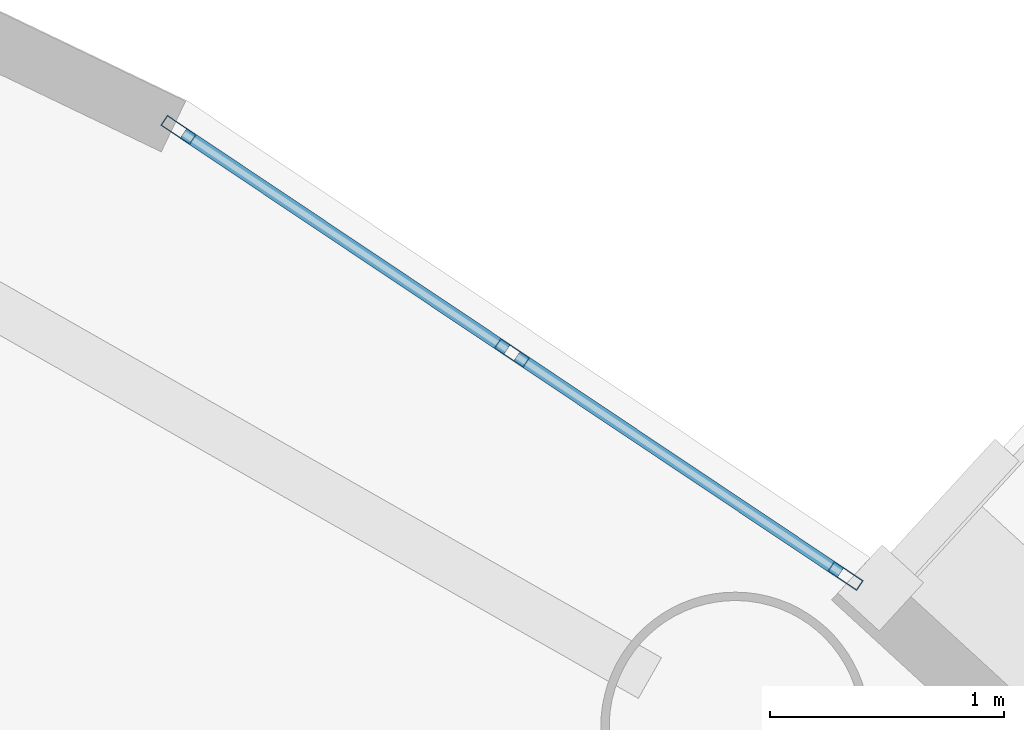
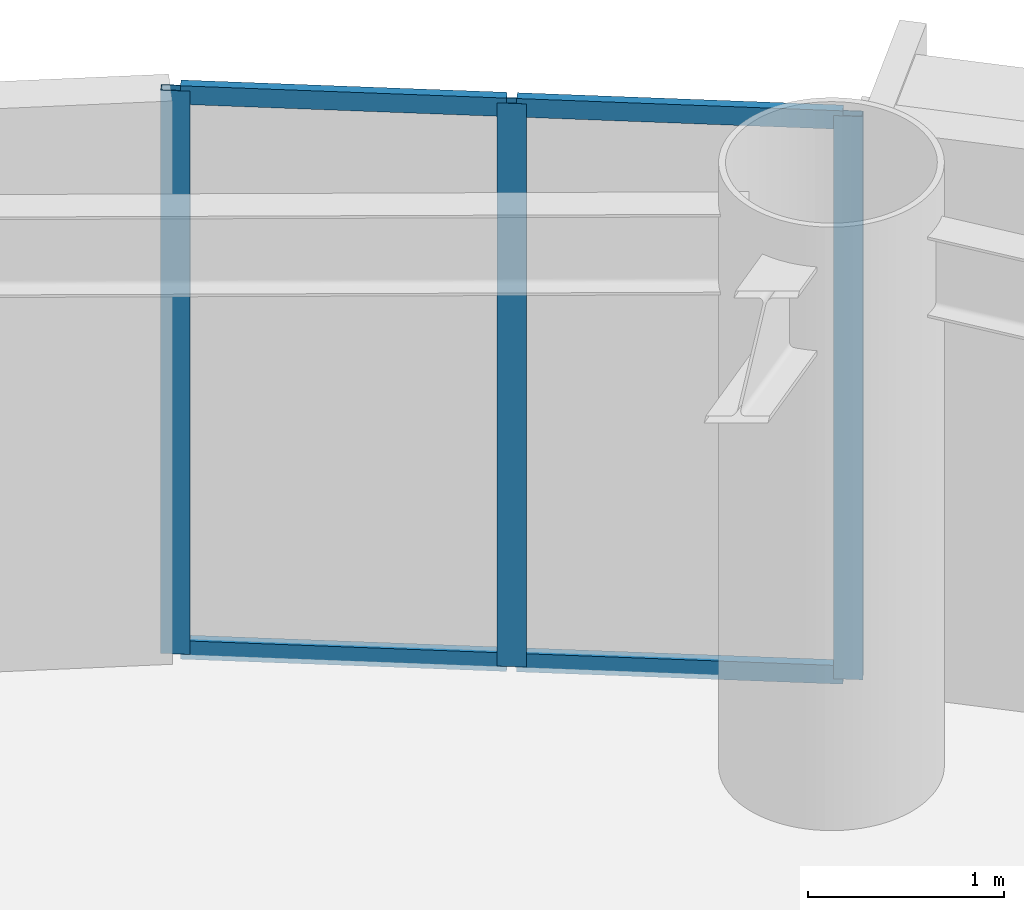
# One storey, part 4 of 19: 7 members, 1 element without a shape of its own.
"""IFC4 building model written with IfcOpenShell, lengths in metres."""

from ifc_helpers import new_model, si_unit, direction, frame, origin, origin_2d, place, context, subcontext, project, spatial, hollow_rectangle, extrude, source, transform, mapped, material, layer, layer_set, material_profile, profile_set, type_object, element, aggregate, save


model = new_model("IFC4")

# Units and contexts
model_context = context("Model", 3, precision=1e-05, world=origin(), true_north=direction((0.0, 1.0)))
body_context = subcontext(model_context, "Body", "Model", "MODEL_VIEW")
ifc_project = project(units=[si_unit("LENGTHUNIT", "METRE"), si_unit("AREAUNIT", "SQUARE_METRE"), si_unit("VOLUMEUNIT", "CUBIC_METRE"), si_unit("PLANEANGLEUNIT", "RADIAN"), si_unit("MASSUNIT", "GRAM", prefix="KILO")], contexts=[model_context])

# Site, building, storey
site_placement = place(None, origin())
site = spatial("IfcSite", under=ifc_project, at=site_placement, CompositionType="ELEMENT")
building_placement = place(site_placement, origin())
building = spatial("IfcBuilding", under=site, at=building_placement, Name="Linh Dai School and Residence Tower", CompositionType="ELEMENT")
storey_placement = place(building_placement, frame((0.0, 0.0, 247.800048828125)))
storey = spatial("IfcBuildingStorey", under=building, at=storey_placement, Name="L61", CompositionType="ELEMENT", Elevation=247.800048828125)

# Curtain wall, members
ifc_material_1 = material(Name="Aluminium Anodised Curtain Wall", Category="aluminium")
ifc_layer = layer(ifc_material_1, 0.14990234375)
ifc_layer_set = layer_set([ifc_layer], Name="Aluminium Anodised Curtain Wall")
curtain_wall_type = type_object("IfcCurtainWallType", Name="CW-SYS-4", PredefinedType="USERDEFINED", material=ifc_layer_set)
curtain_wall_placement = place(storey_placement, origin())
curtain_wall = element("IfcCurtainWall", 1, at=curtain_wall_placement, inside=storey, type_object=curtain_wall_type, Name="L61 CW4 Curtain Wall 06", ObjectType="RIBBON CURTAIN WALL", PredefinedType="USERDEFINED")
ifc_material_2 = material(Name="Aluminium Alloy 6063-T6", Category="aluminium")
ifc_material_profile_1 = material_profile(ifc_material_2, hollow_rectangle(XDim=0.052001953125, YDim=0.14990234375, WallThickness=0.00390625, at=origin_2d()), Name="RHS 150x52x4")
ifc_profile_set_1 = profile_set([ifc_material_profile_1], Name="Aluminium Alloy 6063-T6")
member_type_1 = type_object("IfcMemberType", Name="CW-SYS-4-MUL", PredefinedType="MULLION", material=ifc_profile_set_1)
shared_shape_1 = source(origin(), body_context, "Body", "SweptSolid", [
    extrude(hollow_rectangle(XDim=0.052001953125, YDim=0.14990234375, WallThickness=0.00390625, at=origin_2d()), origin(), (0.0, 0.0, 1.0), 3.5),
])
member_1_placement = place(storey_placement, frame((50.3017578125, 42.333251953125, 0.0), z_axis=(0.0, 0.0, 1.0), x_axis=(0.555887222025, 0.831257719597, 0.0)))
member_1 = element("IfcMember", 2, at=member_1_placement, type_object=member_type_1, Name="CW4 mullion 1", PredefinedType="MULLION", context=body_context, shape_type="MappedRepresentation", body=[
    mapped(shared_shape_1, transform((0.0, 0.0, 0.0), x_axis=(1.0, 0.0, 0.0), y_axis=(0.0, 1.0, 0.0), z_axis=(0.0, 0.0, 1.0), scale=1.0)),
])
member_2_placement = place(storey_placement, frame((51.728271484375, 41.379150390625, 0.0), z_axis=(0.0, 0.0, 1.0), x_axis=(0.555887222025, 0.831257719597, 0.0)))
member_2 = element("IfcMember", 3, at=member_2_placement, type_object=member_type_1, Name="CW4 mullion 2", PredefinedType="MULLION", context=body_context, shape_type="MappedRepresentation", body=[
    mapped(shared_shape_1, transform((0.0, 0.0, 0.0), x_axis=(1.0, 0.0, 0.0), y_axis=(0.0, 1.0, 0.0), z_axis=(0.0, 0.0, 1.0), scale=1.0)),
])
member_3_placement = place(storey_placement, frame((53.15478515625, 40.42529296875, 0.0), z_axis=(0.0, 0.0, 1.0), x_axis=(0.555887222025, 0.831257719597, 0.0)))
member_3 = element("IfcMember", 4, at=member_3_placement, type_object=member_type_1, Name="CW4 mullion 3", PredefinedType="MULLION", context=body_context, shape_type="MappedRepresentation", body=[
    mapped(shared_shape_1, transform((0.0, 0.0, 0.0), x_axis=(1.0, 0.0, 0.0), y_axis=(0.0, 1.0, 0.0), z_axis=(0.0, 0.0, 1.0), scale=1.0)),
])
ifc_material_profile_2 = material_profile(ifc_material_2, hollow_rectangle(XDim=0.052001953125, YDim=0.114990234375, WallThickness=0.00390625, at=origin_2d()), Name="RHS 115x52x4")
ifc_profile_set_2 = profile_set([ifc_material_profile_2], Name="Aluminium Alloy 6063-T6")
member_type_2 = type_object("IfcMemberType", Name="CW-SYS-4-TRN", PredefinedType="USERDEFINED", material=ifc_profile_set_2)
shared_shape_2 = source(origin(), body_context, "Body", "SweptSolid", [
    extrude(hollow_rectangle(XDim=0.052001953125, YDim=0.114990234375, WallThickness=0.00390625, at=origin_2d()), origin(), (0.0, 0.0, 1.0), 1.663818359375),
])
member_4_placement = place(storey_placement, frame((50.323486328125, 42.318603515625, 0.02587890625), z_axis=(0.83128193483, -0.555851009556, 0.0), x_axis=(0.555851009556, 0.83128193483, 0.0)))
member_4 = element("IfcMember", 5, at=member_4_placement, type_object=member_type_2, Name="CW4 transom 1.1", ObjectType="TRANSOM", PredefinedType="USERDEFINED", context=body_context, shape_type="MappedRepresentation", body=[
    mapped(shared_shape_2, transform((0.0, 0.0, 0.0), x_axis=(1.0, 0.0, 0.0), y_axis=(0.0, 1.0, 0.0), z_axis=(0.0, 0.0, 1.0), scale=1.0)),
])
member_5_placement = place(storey_placement, frame((50.323486328125, 42.318603515625, 3.473876953125), z_axis=(0.83128193483, -0.555851009556, 0.0), x_axis=(0.555851009556, 0.83128193483, 0.0)))
member_5 = element("IfcMember", 6, at=member_5_placement, type_object=member_type_2, Name="CW4 transom 1.2", ObjectType="TRANSOM", PredefinedType="USERDEFINED", context=body_context, shape_type="MappedRepresentation", body=[
    mapped(shared_shape_2, transform((0.0, 0.0, 0.0), x_axis=(1.0, 0.0, 0.0), y_axis=(0.0, 1.0, 0.0), z_axis=(0.0, 0.0, 1.0), scale=1.0)),
])
shared_shape_3 = source(origin(), body_context, "Body", "SweptSolid", [
    extrude(hollow_rectangle(XDim=0.052001953125, YDim=0.114990234375, WallThickness=0.00390625, at=origin_2d()), origin(), (0.0, 0.0, 1.0), 1.6640625),
])
member_6_placement = place(storey_placement, frame((51.749755859375, 41.36474609375, 0.02587890625), z_axis=(0.831259473046, -0.555884599959, 0.0), x_axis=(0.555884599959, 0.831259473046, 0.0)))
member_6 = element("IfcMember", 7, at=member_6_placement, type_object=member_type_2, Name="CW4 transom 2.1", ObjectType="TRANSOM", PredefinedType="USERDEFINED", context=body_context, shape_type="MappedRepresentation", body=[
    mapped(shared_shape_3, transform((0.0, 0.0, 0.0), x_axis=(1.0, 0.0, 0.0), y_axis=(0.0, 1.0, 0.0), z_axis=(0.0, 0.0, 1.0), scale=1.0)),
])
member_7_placement = place(storey_placement, frame((51.749755859375, 41.36474609375, 3.473876953125), z_axis=(0.831259473046, -0.555884599959, 0.0), x_axis=(0.555884599959, 0.831259473046, 0.0)))
member_7 = element("IfcMember", 8, at=member_7_placement, type_object=member_type_2, Name="CW4 transom 2.2", ObjectType="TRANSOM", PredefinedType="USERDEFINED", context=body_context, shape_type="MappedRepresentation", body=[
    mapped(shared_shape_3, transform((0.0, 0.0, 0.0), x_axis=(1.0, 0.0, 0.0), y_axis=(0.0, 1.0, 0.0), z_axis=(0.0, 0.0, 1.0), scale=1.0)),
])
aggregate(curtain_wall, [member_1, member_2, member_3, member_4, member_5, member_6, member_7])

save(model, "model.ifc")
